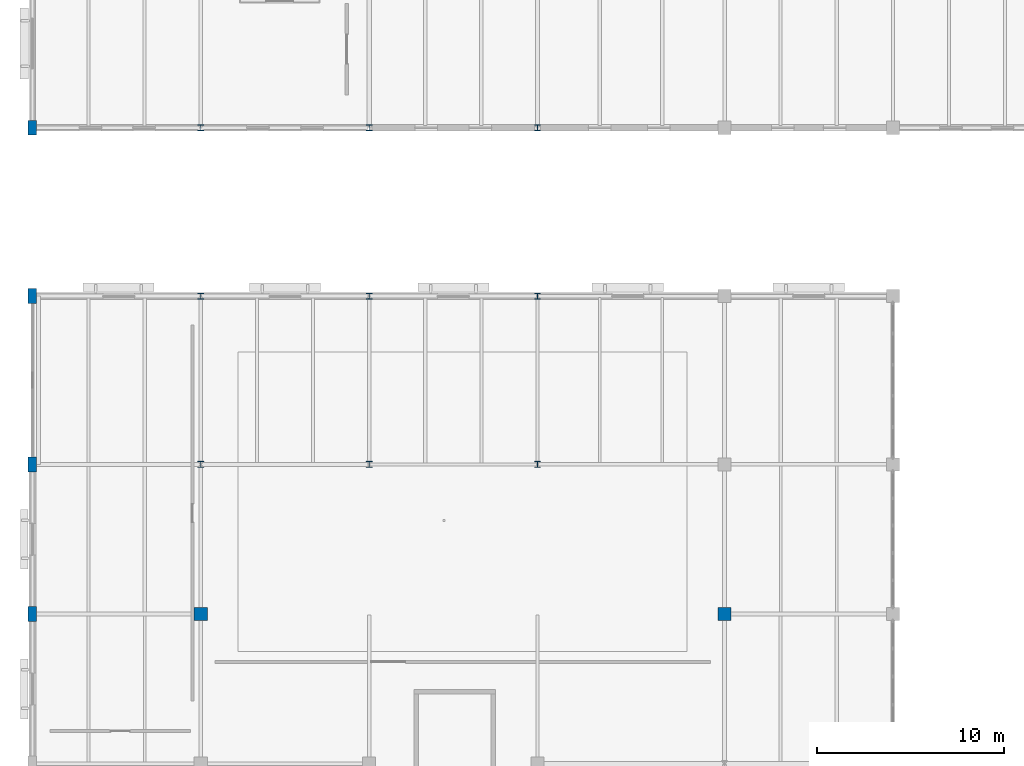
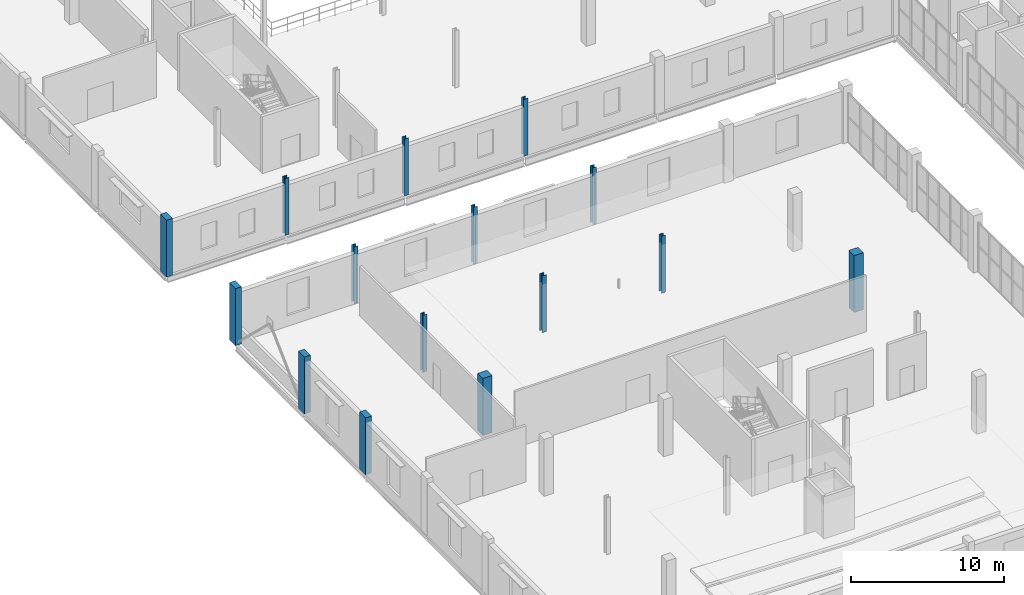
# One storey, part 3 of 93: 15 columns.
"""IFC4 building model written with IfcOpenShell, lengths in metres."""

from ifc_helpers import new_model, si_unit, direction, frame, origin, origin_2d, place, context, subcontext, project, spatial, rectangle, i_section, extrude, material, material_profile, profile_set, type_object, element, save


model = new_model("IFC4")

# Units and contexts
model_context = context("Model", 3, precision=1e-05, world=origin(), true_north=direction((0.0, 1.0)))
body_context = subcontext(model_context, "Body", "Model", "MODEL_VIEW")
ifc_project = project(units=[si_unit("LENGTHUNIT", "METRE"), si_unit("AREAUNIT", "SQUARE_METRE"), si_unit("VOLUMEUNIT", "CUBIC_METRE"), si_unit("PLANEANGLEUNIT", "RADIAN"), si_unit("MASSUNIT", "GRAM", prefix="KILO")], contexts=[model_context])

# Site, building, storey
site_placement = place(None, origin())
site = spatial("IfcSite", under=ifc_project, at=site_placement, CompositionType="ELEMENT")
building_placement = place(site_placement, origin())
building = spatial("IfcBuilding", under=site, at=building_placement, Name="Marnock Terrace Opera House", CompositionType="ELEMENT")
storey_placement = place(building_placement, frame((0.0, 0.0, 5.39990234375)))
storey = spatial("IfcBuildingStorey", under=building, at=storey_placement, Name="L01", CompositionType="ELEMENT", Elevation=5.39990234375)

# Columns
ifc_material_1 = material(Name="Concrete N40 (f'c = 40 MPa)", Category="concrete")
ifc_material_profile_1 = material_profile(ifc_material_1, rectangle(XDim=0.449951171875, YDim=0.800048828125, at=origin_2d()))
ifc_profile_set_1 = profile_set([ifc_material_profile_1], Name="Concrete N40 (f'c = 40 MPa)")
column_type_1 = type_object("IfcColumnType", Name="COL-PIL-800", PredefinedType="PILASTER", material=ifc_profile_set_1)
for number, where, z_axis, x_axis, name in (
    (1, (0.0, 40.0, 0.0), (0.0, 0.0, 1.0), (1.0, 0.0, 0.0), "L01 column at (0.0, 40.0)"),
    (2, (0.0, 48.0, 0.0), (0.0, 0.0, 1.0), (1.0, 0.0, 0.0), "L01 column at (0.0, 48.0)"),
    (3, (0.0, 57.0, 0.0), (0.0, 0.0, 1.0), (1.0, 0.0, 0.0), "L01 column at (0.0, 57.0)"),
    (4, (0.0, 66.0, 0.0), (0.0, 0.0, 1.0), (1.0, 0.0, 0.0), "L01 column at (0.0, 66.0)"),
):
    element("IfcColumn", number, at=place(storey_placement, frame(where, z_axis=z_axis, x_axis=x_axis)), inside=storey, type_object=column_type_1, Name=name, PredefinedType="PILASTER", context=body_context, shape_type="SweptSolid", body=[
        extrude(rectangle(XDim=0.449951171875, YDim=0.800048828125, at=origin_2d()), origin(), (0.0, 0.0, 1.0), 4.5400390625),
    ])
ifc_material_profile_2 = material_profile(ifc_material_1, rectangle(XDim=0.699951171875, YDim=0.699951171875, at=origin_2d()))
ifc_profile_set_2 = profile_set([ifc_material_profile_2], Name="Concrete N40 (f'c = 40 MPa)")
column_type_2 = type_object("IfcColumnType", Name="COL-RC700", PredefinedType="COLUMN", material=ifc_profile_set_2)
for number, where, z_axis, x_axis, name in (
    (5, (9.0, 40.0, 0.0), (0.0, 0.0, 1.0), (1.0, 0.0, 0.0), "L01 column at (9.0, 40.0)"),
    (6, (37.0, 40.0, 0.0), (0.0, 0.0, 1.0), (1.0, 0.0, 0.0), "L01 column at (37.0, 40.0)"),
):
    element("IfcColumn", number, at=place(storey_placement, frame(where, z_axis=z_axis, x_axis=x_axis)), inside=storey, type_object=column_type_2, Name=name, PredefinedType="COLUMN", context=body_context, shape_type="SweptSolid", body=[
        extrude(rectangle(XDim=0.699951171875, YDim=0.699951171875, at=origin_2d()), origin(), (0.0, 0.0, 1.0), 4.5400390625),
    ])
ifc_material_2 = material(Name="Steel Grade 350 (AS/NZS 3679.1)", Category="steel")
ifc_material_profile_3 = material_profile(ifc_material_2, i_section(OverallWidth=0.30908203125, OverallDepth=0.320556640625, WebThickness=0.013916015625, FlangeThickness=0.021728515625, FilletRadius=0.0166015625, at=origin_2d()))
ifc_profile_set_3 = profile_set([ifc_material_profile_3], Name="Steel Grade 350 (AS/NZS 3679.1)")
column_type_3 = type_object("IfcColumnType", Name="COL-UC310B", PredefinedType="COLUMN", material=ifc_profile_set_3)
for number, where, z_axis, x_axis, name in (
    (7, (9.0, 48.0, 0.0), (0.0, 0.0, 1.0), (1.0, 0.0, 0.0), "L01 column at (9.0, 48.0)"),
    (8, (9.0, 57.0, 0.0), (0.0, 0.0, 1.0), (1.0, 0.0, 0.0), "L01 column at (9.0, 57.0)"),
    (9, (9.0, 66.0, 0.0), (0.0, 0.0, 1.0), (1.0, 0.0, 0.0), "L01 column at (9.0, 66.0)"),
    (10, (18.0, 48.0, 0.0), (0.0, 0.0, 1.0), (1.0, 0.0, 0.0), "L01 column at (18.0, 48.0)"),
    (11, (18.0, 57.0, 0.0), (0.0, 0.0, 1.0), (1.0, 0.0, 0.0), "L01 column at (18.0, 57.0)"),
    (12, (18.0, 66.0, 0.0), (0.0, 0.0, 1.0), (1.0, 0.0, 0.0), "L01 column at (18.0, 66.0)"),
    (13, (27.0, 48.0, 0.0), (0.0, 0.0, 1.0), (1.0, 0.0, 0.0), "L01 column at (27.0, 48.0)"),
    (14, (27.0, 57.0, 0.0), (0.0, 0.0, 1.0), (1.0, 0.0, 0.0), "L01 column at (27.0, 57.0)"),
    (15, (27.0, 66.0, 0.0), (0.0, 0.0, 1.0), (1.0, 0.0, 0.0), "L01 column at (27.0, 66.0)"),
):
    element("IfcColumn", number, at=place(storey_placement, frame(where, z_axis=z_axis, x_axis=x_axis)), inside=storey, type_object=column_type_3, Name=name, PredefinedType="COLUMN", context=body_context, shape_type="SweptSolid", body=[
        extrude(i_section(OverallWidth=0.30908203125, OverallDepth=0.320556640625, WebThickness=0.013916015625, FlangeThickness=0.021728515625, FilletRadius=0.0166015625, at=origin_2d()), origin(), (0.0, 0.0, 1.0), 4.5400390625),
    ])

save(model, "model.ifc")
